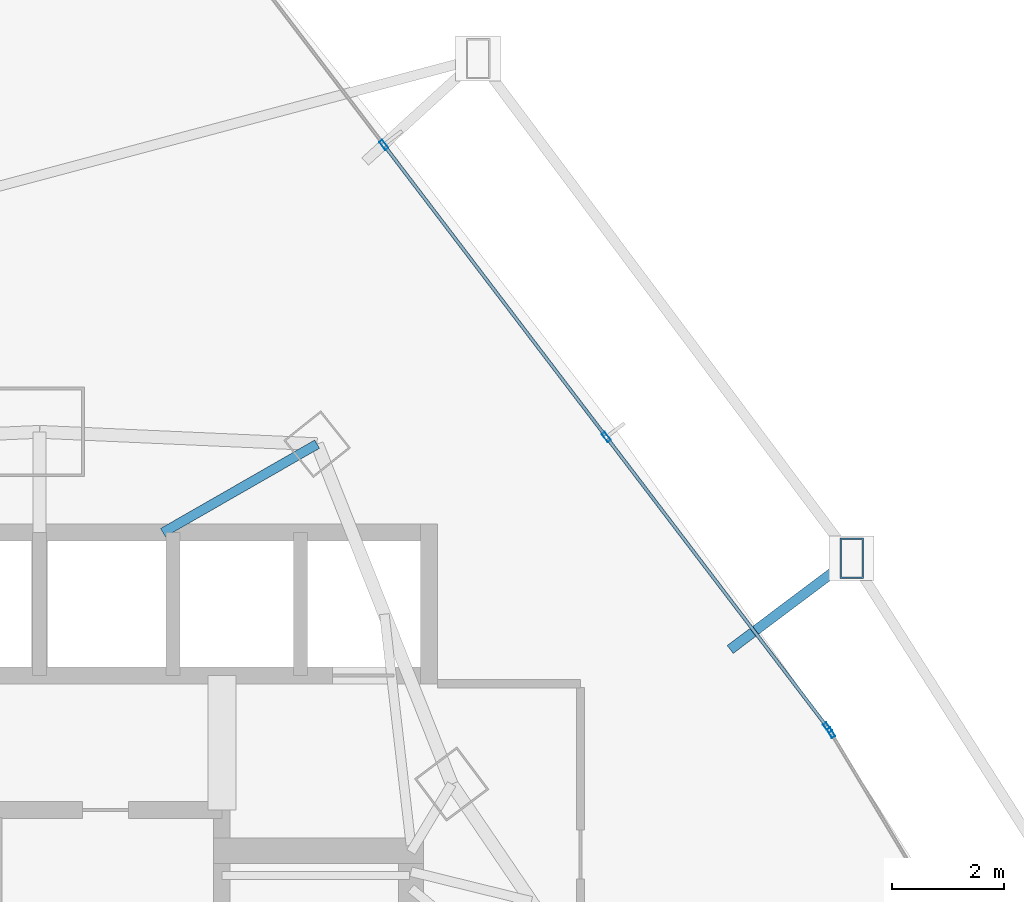
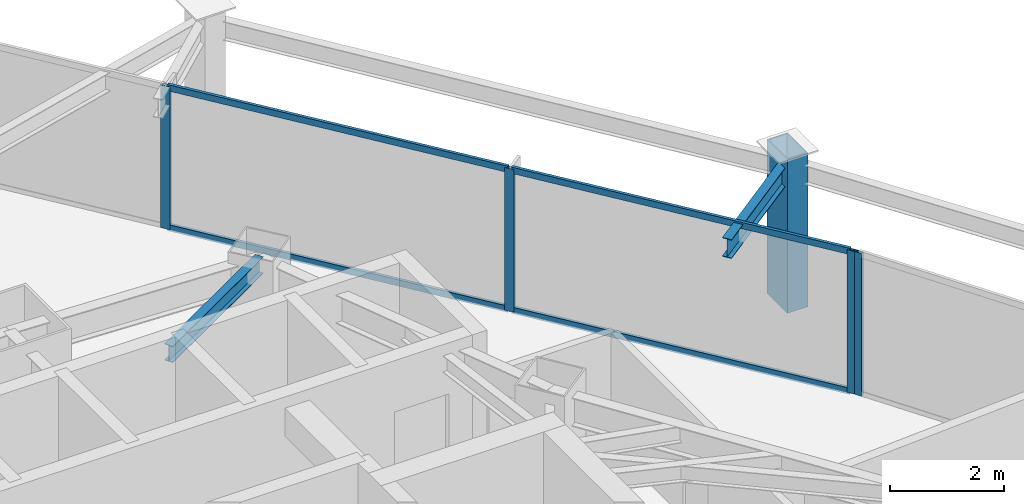
# One storey, part 27 of 35: 9 members, 2 beams, 2 elements without a shape of their own.
"""IFC4 building model written with IfcOpenShell, lengths in metres."""

from ifc_helpers import new_model, si_unit, direction, frame, origin, origin_2d, place, context, subcontext, project, spatial, hollow_rectangle, i_section, extrude, material, layer, layer_set, material_profile, profile_set, type_object, element, aggregate, save


model = new_model("IFC4")

# Units and contexts
model_context = context("Model", 3, precision=1e-05, world=origin(), true_north=direction((0.0, 1.0)))
body_context = subcontext(model_context, "Body", "Model", "MODEL_VIEW")
ifc_project = project(units=[si_unit("LENGTHUNIT", "METRE"), si_unit("AREAUNIT", "SQUARE_METRE"), si_unit("VOLUMEUNIT", "CUBIC_METRE"), si_unit("PLANEANGLEUNIT", "RADIAN"), si_unit("MASSUNIT", "GRAM", prefix="KILO")], contexts=[model_context])

# Site, building, storey
site_placement = place(None, origin())
site = spatial("IfcSite", under=ifc_project, at=site_placement, CompositionType="ELEMENT")
building_placement = place(site_placement, origin())
building = spatial("IfcBuilding", under=site, at=building_placement, Name="Orvanel Arch Residences", CompositionType="ELEMENT")
storey_placement = place(building_placement, frame((0.0, 0.0, 30.199951171875)))
storey = spatial("IfcBuildingStorey", under=building, at=storey_placement, Name="L07", CompositionType="ELEMENT", Elevation=30.199951171875)

# Beam
ifc_material_1 = material(Name="Structural steel AS/NZS 3679.1 Grade 300 (300 MPa)", Category="steel")
ifc_material_profile_1 = material_profile(ifc_material_1, i_section(OverallWidth=0.1708984375, OverallDepth=0.35595703125, WebThickness=0.00732421875, FlangeThickness=0.011474609375, at=origin_2d()), Name="360UB50.7")
ifc_profile_set_1 = profile_set([ifc_material_profile_1], Name="Structural steel AS/NZS 3679.1 Grade 300 (300 MPa)")
beam_type_1 = type_object("IfcBeamType", Name="BJ-360UB", PredefinedType="JOIST", material=ifc_profile_set_1)
beam_1_placement = place(storey_placement, frame((35.199951171875, 39.60009765625, 2.882080078125), z_axis=(0.86736513383, 0.497672306458, 0.0), x_axis=(-0.497672306458, 0.86736513383, 0.0)))
element("IfcBeam", 1, at=beam_1_placement, inside=storey, type_object=beam_type_1, Name="L07 MNE Wing Floor Joist", PredefinedType="JOIST", context=body_context, shape_type="SweptSolid", body=[
    extrude(i_section(OverallWidth=0.1708984375, OverallDepth=0.35595703125, WebThickness=0.00732421875, FlangeThickness=0.011474609375, at=origin_2d()), origin(), (0.0, 0.0, 1.0), 3.17041015625),
])

# Member
ifc_material_2 = material(Name="Structural steel AS/NZS 3678 Grade 350", Category="steel")
ifc_material_profile_2 = material_profile(ifc_material_2, hollow_rectangle(XDim=0.419921875, YDim=0.719970703125, WallThickness=0.02490234375, at=origin_2d()), Name="RHS720x420x25")
ifc_profile_set_2 = profile_set([ifc_material_profile_2], Name="Structural steel AS/NZS 3678 Grade 350")
member_type_1 = type_object("IfcMemberType", Name="CH-720RHS-EXT", PredefinedType="CHORD", material=ifc_profile_set_2)
member_1_placement = place(storey_placement, frame((47.489013671875, 39.14306640625, 0.0), z_axis=(0.0, 0.0, 1.0), x_axis=(1.0, 0.0, 0.0)))
element("IfcMember", 2, at=member_1_placement, inside=storey, type_object=member_type_1, Name="L07 Outer Perimeter Frame Post 11", PredefinedType="CHORD", context=body_context, shape_type="SweptSolid", body=[
    extrude(hollow_rectangle(XDim=0.419921875, YDim=0.719970703125, WallThickness=0.02490234375, at=origin_2d()), origin(), (0.0, 0.0, 1.0), 3.300048828125),
])

# Curtain wall, member
ifc_material_3 = material(Name="Bronze-anodised aluminium AA6063-T6", Category="aluminium")
ifc_layer = layer(ifc_material_3, 0.179931640625)
ifc_layer_set = layer_set([ifc_layer], Name="Bronze-anodised aluminium AA6063-T6")
curtain_wall_type = type_object("IfcCurtainWallType", Name="CW2-LOW-SYS", PredefinedType="NOTDEFINED", material=ifc_layer_set)
curtain_wall_1_placement = place(storey_placement, origin())
curtain_wall_1 = element("IfcCurtainWall", 3, at=curtain_wall_1_placement, inside=storey, type_object=curtain_wall_type, Name="L07 CW2-LOW-SYS Unitised Curtain Wall", PredefinedType="NOTDEFINED")
ifc_material_profile_3 = material_profile(ifc_material_3, hollow_rectangle(XDim=0.070068359375, YDim=0.179931640625, WallThickness=0.00439453125, at=origin_2d()), Name="ALU180x70x4.5")
ifc_profile_set_3 = profile_set([ifc_material_profile_3], Name="Bronze-anodised aluminium AA6063-T6")
member_type_2 = type_object("IfcMemberType", Name="MUL-180x70", PredefinedType="MULLION", material=ifc_profile_set_3)
member_2_placement = place(storey_placement, frame((47.12109375, 36.029052734375, 0.0), z_axis=(0.0, 0.0, 1.0), x_axis=(-0.857540386644, -0.514416645603, 0.0)))
member_2 = element("IfcMember", 4, at=member_2_placement, type_object=member_type_2, Name="CW-S2 mullion 3", PredefinedType="MULLION", context=body_context, shape_type="SweptSolid", body=[
    extrude(hollow_rectangle(XDim=0.070068359375, YDim=0.179931640625, WallThickness=0.00439453125, at=origin_2d()), origin(), (0.0, 0.0, 1.0), 3.06005859375),
])
aggregate(curtain_wall_1, [member_2])

# Curtain wall, members
curtain_wall_2_placement = place(storey_placement, origin())
curtain_wall_2 = element("IfcCurtainWall", 5, at=curtain_wall_2_placement, inside=storey, type_object=curtain_wall_type, Name="L07 CW2-LOW-SYS Unitised Curtain Wall", PredefinedType="NOTDEFINED")
member_3_placement = place(storey_placement, frame((47.059814453125, 36.119873046875, 0.0), z_axis=(0.0, 0.0, 1.0), x_axis=(-0.795608016507, -0.605811756299, 0.0)))
member_3 = element("IfcMember", 6, at=member_3_placement, type_object=member_type_2, Name="CW-S2 mullion 1", PredefinedType="MULLION", context=body_context, shape_type="SweptSolid", body=[
    extrude(hollow_rectangle(XDim=0.070068359375, YDim=0.179931640625, WallThickness=0.00439453125, at=origin_2d()), origin(), (0.0, 0.0, 1.0), 3.06005859375),
])
member_4_placement = place(storey_placement, frame((43.111328125, 41.305419921875, 0.0), z_axis=(0.0, 0.0, 1.0), x_axis=(-0.795608016507, -0.605811756299, 0.0)))
member_4 = element("IfcMember", 7, at=member_4_placement, type_object=member_type_2, Name="CW-S2 mullion 2", PredefinedType="MULLION", context=body_context, shape_type="SweptSolid", body=[
    extrude(hollow_rectangle(XDim=0.070068359375, YDim=0.179931640625, WallThickness=0.00439453125, at=origin_2d()), origin(), (0.0, 0.0, 1.0), 3.06005859375),
])
member_5_placement = place(storey_placement, frame((39.1416015625, 46.5185546875, 0.0), z_axis=(0.0, 0.0, 1.0), x_axis=(-0.795608016507, -0.605811756299, 0.0)))
member_5 = element("IfcMember", 8, at=member_5_placement, type_object=member_type_2, Name="CW-S2 mullion 3", PredefinedType="MULLION", context=body_context, shape_type="SweptSolid", body=[
    extrude(hollow_rectangle(XDim=0.070068359375, YDim=0.179931640625, WallThickness=0.00439453125, at=origin_2d()), origin(), (0.0, 0.0, 1.0), 3.06005859375),
])

# Beam
ifc_material_profile_4 = material_profile(ifc_material_1, i_section(OverallWidth=0.177978515625, OverallDepth=0.406005859375, WebThickness=0.0078125, FlangeThickness=0.0126953125, at=origin_2d()), Name="410UB59.7")
ifc_profile_set_4 = profile_set([ifc_material_profile_4], Name="Structural steel AS/NZS 3679.1 Grade 300 (300 MPa)")
beam_type_2 = type_object("IfcBeamType", Name="OB-410UB-EXT", PredefinedType="SPANDREL", material=ifc_profile_set_4)
beam_2_placement = place(storey_placement, frame((45.321044921875, 37.514892578125, 2.85693359375), z_axis=(0.799610832001, 0.600518540385, 0.0), x_axis=(-0.600518540385, 0.799610832001, 0.0)))
element("IfcBeam", 9, at=beam_2_placement, inside=storey, type_object=beam_type_2, Name="L07 Outer Frame Radial Tie Beam 11", PredefinedType="SPANDREL", context=body_context, shape_type="SweptSolid", body=[
    extrude(i_section(OverallWidth=0.177978515625, OverallDepth=0.406005859375, WebThickness=0.0078125, FlangeThickness=0.0126953125, at=origin_2d()), origin(), (0.0, 0.0, 1.0), 2.711181640625),
])

# Member
ifc_material_profile_5 = material_profile(ifc_material_3, hollow_rectangle(XDim=0.06005859375, YDim=0.135009765625, WallThickness=0.00390625, at=origin_2d()), Name="ALU135x60x4")
ifc_profile_set_5 = profile_set([ifc_material_profile_5], Name="Bronze-anodised aluminium AA6063-T6")
member_type_3 = type_object("IfcMemberType", Name="TRN-135x60", PredefinedType="USERDEFINED", material=ifc_profile_set_5)
member_6_placement = place(storey_placement, frame((47.03857421875, 36.147705078125, 0.030029296875), z_axis=(-0.605800188991, 0.795616824243, 0.0), x_axis=(-0.795616824243, -0.605800188991, 0.0)))
member_6 = element("IfcMember", 10, at=member_6_placement, type_object=member_type_3, Name="CW-S2 transom 1.1", ObjectType="TRANSOM", PredefinedType="USERDEFINED", context=body_context, shape_type="SweptSolid", body=[
    extrude(hollow_rectangle(XDim=0.06005859375, YDim=0.135009765625, WallThickness=0.00390625, at=origin_2d()), origin(), (0.0, 0.0, 1.0), 6.44775390625),
])

member_7_placement = place(storey_placement, frame((47.03857421875, 36.147705078125, 3.030029296875), z_axis=(-0.605800188991, 0.795616824243, 0.0), x_axis=(-0.795616824243, -0.605800188991, 0.0)))
member_7 = element("IfcMember", 11, at=member_7_placement, type_object=member_type_3, Name="CW-S2 transom 1.2", ObjectType="TRANSOM", PredefinedType="USERDEFINED", context=body_context, shape_type="SweptSolid", body=[
    extrude(hollow_rectangle(XDim=0.06005859375, YDim=0.135009765625, WallThickness=0.00390625, at=origin_2d()), origin(), (0.0, 0.0, 1.0), 6.44775390625),
])

member_8_placement = place(storey_placement, frame((43.090087890625, 41.333251953125, 0.030029296875), z_axis=(-0.605823058634, 0.795599410273, 0.0), x_axis=(-0.795599410273, -0.605823058634, 0.0)))
member_8 = element("IfcMember", 12, at=member_8_placement, type_object=member_type_3, Name="CW-S2 transom 2.1", ObjectType="TRANSOM", PredefinedType="USERDEFINED", context=body_context, shape_type="SweptSolid", body=[
    extrude(hollow_rectangle(XDim=0.06005859375, YDim=0.135009765625, WallThickness=0.00390625, at=origin_2d()), origin(), (0.0, 0.0, 1.0), 6.482421875),
])

member_9_placement = place(storey_placement, frame((43.090087890625, 41.333251953125, 3.030029296875), z_axis=(-0.605823058634, 0.795599410273, 0.0), x_axis=(-0.795599410273, -0.605823058634, 0.0)))
member_9 = element("IfcMember", 13, at=member_9_placement, type_object=member_type_3, Name="CW-S2 transom 2.2", ObjectType="TRANSOM", PredefinedType="USERDEFINED", context=body_context, shape_type="SweptSolid", body=[
    extrude(hollow_rectangle(XDim=0.06005859375, YDim=0.135009765625, WallThickness=0.00390625, at=origin_2d()), origin(), (0.0, 0.0, 1.0), 6.482421875),
])

aggregate(curtain_wall_2, [member_3, member_4, member_5, member_6, member_7, member_8, member_9])

save(model, "model.ifc")
